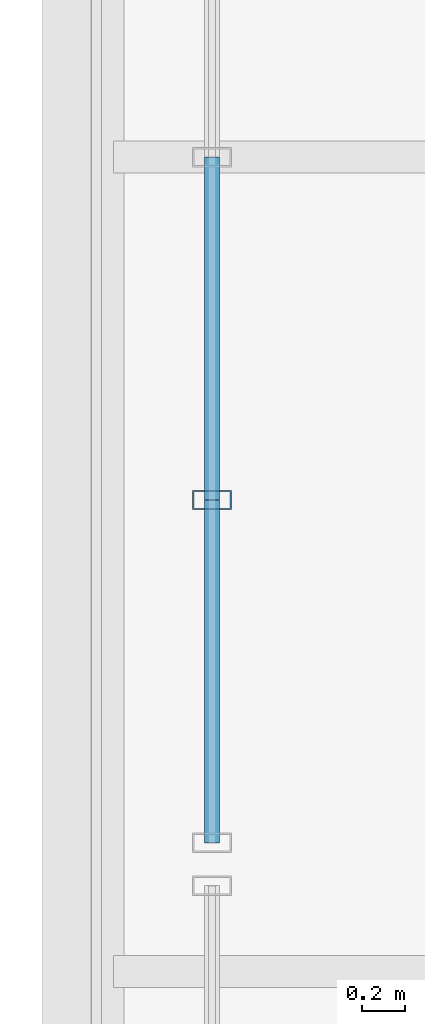
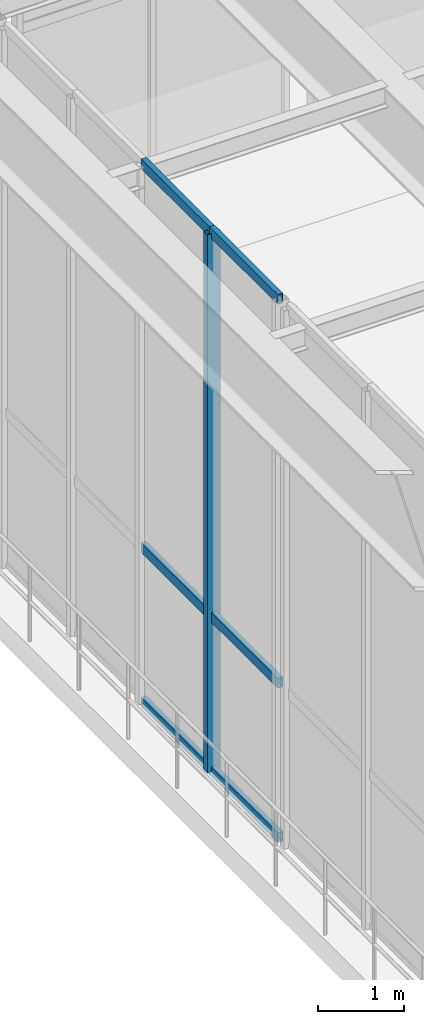
# One storey, part 22 of 138: 7 members, 1 element without a shape of its own.
"""IFC4 building model written with IfcOpenShell, lengths in metres."""

from ifc_helpers import new_model, si_unit, direction, frame, origin, origin_2d, place, context, subcontext, project, spatial, hollow_rectangle, extrude, material, material_profile, profile_set, type_object, element, aggregate, save


model = new_model("IFC4")

# Units and contexts
model_context = context("Model", 3, precision=1e-05, world=origin(), true_north=direction((0.0, 1.0)))
body_context = subcontext(model_context, "Body", "Model", "MODEL_VIEW")
ifc_project = project(units=[si_unit("LENGTHUNIT", "METRE"), si_unit("AREAUNIT", "SQUARE_METRE"), si_unit("VOLUMEUNIT", "CUBIC_METRE"), si_unit("PLANEANGLEUNIT", "RADIAN"), si_unit("MASSUNIT", "GRAM", prefix="KILO")], contexts=[model_context])

# Site, building, storey
site_placement = place(None, origin())
site = spatial("IfcSite", under=ifc_project, at=site_placement, CompositionType="ELEMENT")
building_placement = place(site_placement, origin())
building = spatial("IfcBuilding", under=site, at=building_placement, Name="Sundkrona Museum", CompositionType="ELEMENT")
storey_placement = place(building_placement, frame((0.0, 0.0, 9.60009765625)))
storey = spatial("IfcBuildingStorey", under=building, at=storey_placement, Name="L02", CompositionType="ELEMENT", Elevation=9.60009765625)

# Curtain wall, members
ifc_material_1 = material(Name="Unitised Aluminium-Steel and Ceramic-Clad Curtain Walling", Category="steel")
curtain_wall_type = type_object("IfcCurtainWallType", Name="CW-CV-68x74", PredefinedType="NOTDEFINED", material=ifc_material_1)
curtain_wall_placement = place(storey_placement, origin())
curtain_wall = element("IfcCurtainWall", 1, at=curtain_wall_placement, inside=storey, type_object=curtain_wall_type, Name="L02 Curtain Wall CW-CV-TIP-L02-39", PredefinedType="NOTDEFINED")
ifc_material_2 = material(Name="Aluminium EN AW-6060 T66", Category="aluminium")
ifc_material_profile_1 = material_profile(ifc_material_2, hollow_rectangle(XDim=0.090087890625, YDim=0.179931640625, WallThickness=0.00634765625, at=origin_2d()), Name="RHS 180x90x6.3")
ifc_profile_set_1 = profile_set([ifc_material_profile_1], Name="Aluminium EN AW-6060 T66")
member_type_1 = type_object("IfcMemberType", Name="ML-180", PredefinedType="MULLION", material=ifc_profile_set_1)
member_1_placement = place(storey_placement, frame((4.60009765625, 41.39990234375, -0.004150390625), z_axis=(0.0, 0.0, 1.0), x_axis=(0.0, 1.0, 0.0)))
member_1 = element("IfcMember", 2, at=member_1_placement, type_object=member_type_1, Name="CW-CV-TIP-L02-39 Mullion 02", PredefinedType="MULLION", context=body_context, shape_type="SweptSolid", body=[
    extrude(hollow_rectangle(XDim=0.090087890625, YDim=0.179931640625, WallThickness=0.00634765625, at=origin_2d()), origin(), (0.0, 0.0, 1.0), 7.68310546875),
])
ifc_material_profile_2 = material_profile(ifc_material_2, hollow_rectangle(XDim=0.070068359375, YDim=0.139892578125, WallThickness=0.0048828125, at=origin_2d()), Name="RHS 140x70x5.0")
ifc_profile_set_2 = profile_set([ifc_material_profile_2], Name="Aluminium EN AW-6060 T66")
member_type_2 = type_object("IfcMemberType", Name="TR-140", PredefinedType="USERDEFINED", material=ifc_profile_set_2)
member_2_placement = place(storey_placement, frame((4.60009765625, 39.800048828125, -0.004150390625), z_axis=(0.0, 1.0, 0.0), x_axis=(-1.0, 0.0, 0.0)))
member_2 = element("IfcMember", 3, at=member_2_placement, type_object=member_type_2, Name="CW-CV-TIP-L02-39 Transom 01", ObjectType="TRANSOM", PredefinedType="USERDEFINED", context=body_context, shape_type="SweptSolid", body=[
    extrude(hollow_rectangle(XDim=0.070068359375, YDim=0.139892578125, WallThickness=0.0048828125, at=origin_2d()), origin(), (0.0, 0.0, 1.0), 1.599853515625),
])
member_3_placement = place(storey_placement, frame((4.60009765625, 39.800048828125, 2.199951171875), z_axis=(0.0, 1.0, 0.0), x_axis=(-1.0, 0.0, 0.0)))
member_3 = element("IfcMember", 4, at=member_3_placement, type_object=member_type_2, Name="CW-CV-TIP-L02-39 Transom 02", ObjectType="TRANSOM", PredefinedType="USERDEFINED", context=body_context, shape_type="SweptSolid", body=[
    extrude(hollow_rectangle(XDim=0.070068359375, YDim=0.139892578125, WallThickness=0.0048828125, at=origin_2d()), origin(), (0.0, 0.0, 1.0), 1.599853515625),
])
member_4_placement = place(storey_placement, frame((4.60009765625, 39.800048828125, 7.678955078125), z_axis=(0.0, 1.0, 0.0), x_axis=(-1.0, 0.0, 0.0)))
member_4 = element("IfcMember", 5, at=member_4_placement, type_object=member_type_2, Name="CW-CV-TIP-L02-39 Transom 03", ObjectType="TRANSOM", PredefinedType="USERDEFINED", context=body_context, shape_type="SweptSolid", body=[
    extrude(hollow_rectangle(XDim=0.070068359375, YDim=0.139892578125, WallThickness=0.0048828125, at=origin_2d()), origin(), (0.0, 0.0, 1.0), 1.599853515625),
])
member_5_placement = place(storey_placement, frame((4.60009765625, 41.39990234375, -0.004150390625), z_axis=(0.0, 1.0, 0.0), x_axis=(-1.0, 0.0, 0.0)))
member_5 = element("IfcMember", 6, at=member_5_placement, type_object=member_type_2, Name="CW-CV-TIP-L02-39 Transom 04", ObjectType="TRANSOM", PredefinedType="USERDEFINED", context=body_context, shape_type="SweptSolid", body=[
    extrude(hollow_rectangle(XDim=0.070068359375, YDim=0.139892578125, WallThickness=0.0048828125, at=origin_2d()), origin(), (0.0, 0.0, 1.0), 1.60009765625),
])
member_6_placement = place(storey_placement, frame((4.60009765625, 41.39990234375, 2.199951171875), z_axis=(0.0, 1.0, 0.0), x_axis=(-1.0, 0.0, 0.0)))
member_6 = element("IfcMember", 7, at=member_6_placement, type_object=member_type_2, Name="CW-CV-TIP-L02-39 Transom 05", ObjectType="TRANSOM", PredefinedType="USERDEFINED", context=body_context, shape_type="SweptSolid", body=[
    extrude(hollow_rectangle(XDim=0.070068359375, YDim=0.139892578125, WallThickness=0.0048828125, at=origin_2d()), origin(), (0.0, 0.0, 1.0), 1.60009765625),
])
member_7_placement = place(storey_placement, frame((4.60009765625, 41.39990234375, 7.678955078125), z_axis=(0.0, 1.0, 0.0), x_axis=(-1.0, 0.0, 0.0)))
member_7 = element("IfcMember", 8, at=member_7_placement, type_object=member_type_2, Name="CW-CV-TIP-L02-39 Transom 06", ObjectType="TRANSOM", PredefinedType="USERDEFINED", context=body_context, shape_type="SweptSolid", body=[
    extrude(hollow_rectangle(XDim=0.070068359375, YDim=0.139892578125, WallThickness=0.0048828125, at=origin_2d()), origin(), (0.0, 0.0, 1.0), 1.60009765625),
])
aggregate(curtain_wall, [member_1, member_2, member_3, member_4, member_5, member_6, member_7])

save(model, "model.ifc")
